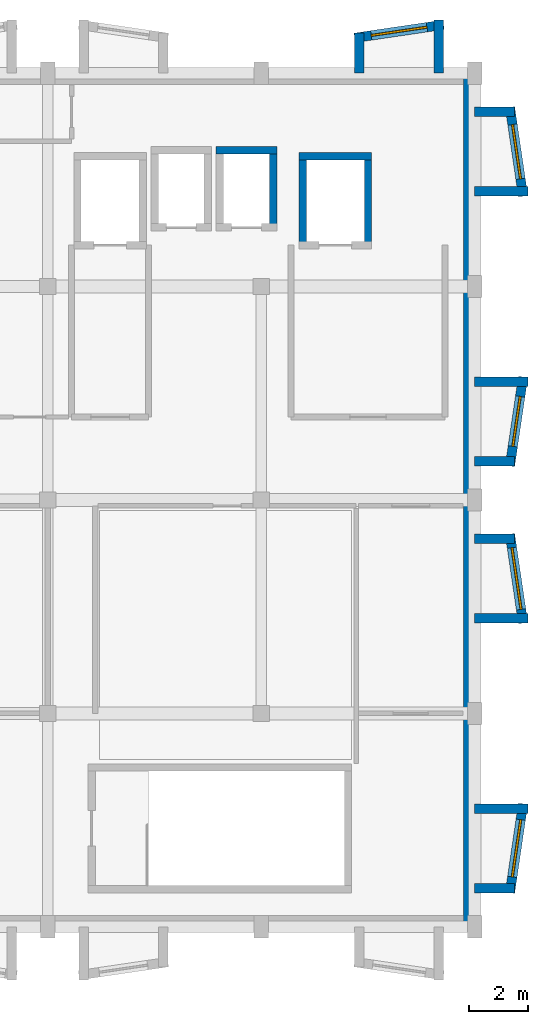
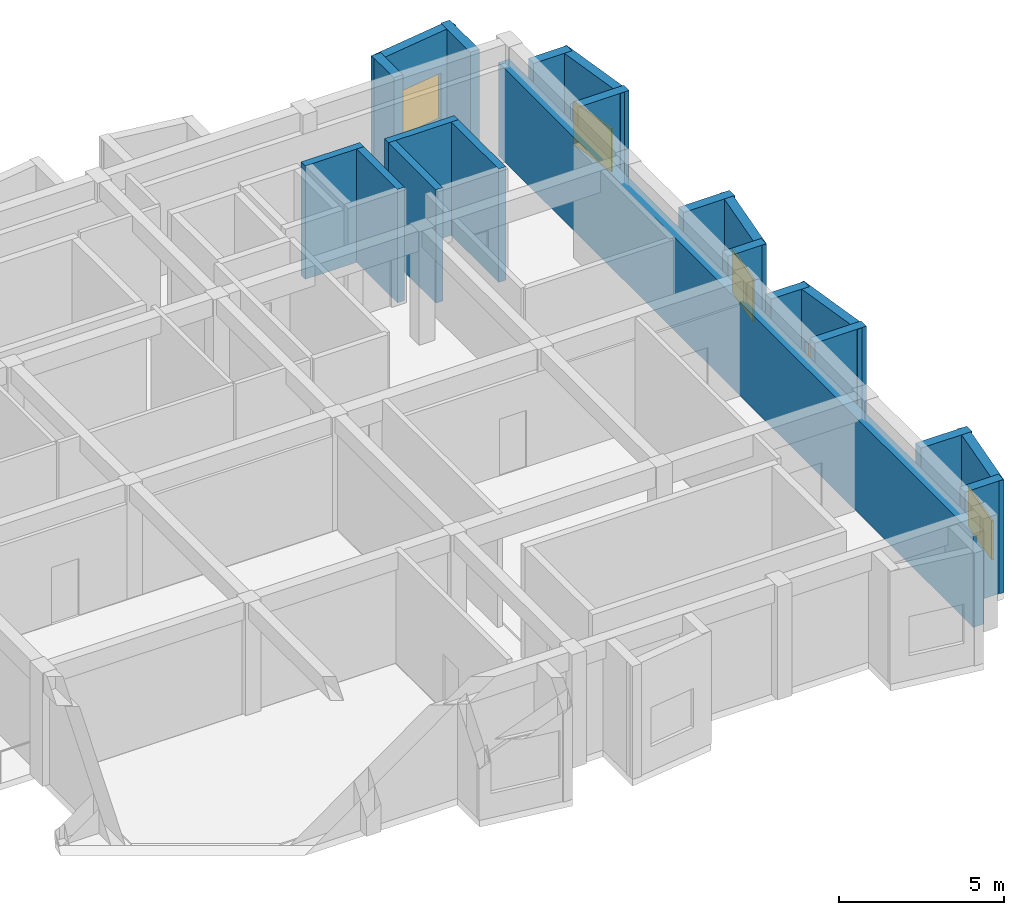
# One storey, part 4 of 5: 21 walls, 5 windows, 5 openings.
"""IFC4 building model written with IfcOpenShell, lengths in metres."""

from ifc_helpers import new_model, si_unit, direction, frame, frame_2d, origin, place, context, subcontext, project, spatial, rectangle, extrude, material, layer, layer_set, type_object, element, fill, save


model = new_model("IFC4")

# Units and contexts
model_context = context("Model", 3, precision=1e-05, world=origin(), true_north=direction((0.0, 1.0)))
body_context = subcontext(model_context, "Body", "Model", "MODEL_VIEW")
ifc_project = project(units=[si_unit("LENGTHUNIT", "METRE"), si_unit("AREAUNIT", "SQUARE_METRE"), si_unit("VOLUMEUNIT", "CUBIC_METRE"), si_unit("PLANEANGLEUNIT", "RADIAN"), si_unit("MASSUNIT", "GRAM", prefix="KILO")], contexts=[model_context])

# Site, building, storey
site_placement = place(None, origin())
site = spatial("IfcSite", under=ifc_project, at=site_placement, CompositionType="ELEMENT")
building_placement = place(site_placement, origin())
building = spatial("IfcBuilding", under=site, at=building_placement, Name="Bramveld Media Centre", CompositionType="ELEMENT")
storey_placement = place(building_placement, frame((0.0, 0.0, 29.699951171875)))
storey = spatial("IfcBuildingStorey", under=building, at=storey_placement, Name="L07", CompositionType="ELEMENT", Elevation=29.699951171875)

# Walls
ifc_material_1 = material(Name="Concrete C40/50 stair & lift core wall", Category="concrete")
ifc_layer_1 = layer(ifc_material_1, 0.25)
ifc_layer_set_1 = layer_set([ifc_layer_1], Name="Concrete C40/50 stair & lift core wall")
wall_type_1 = type_object("IfcWallType", Name="CWALL-SHEAR-250", PredefinedType="SHEAR", material=ifc_layer_set_1)
wall_1_placement = place(storey_placement, frame((156.52490234375, 109.199951171875, 0.0), z_axis=(0.0, 0.0, 1.0), x_axis=(-1.0, 0.0, 0.0)))
element("IfcWall", 1, at=wall_1_placement, inside=storey, type_object=wall_type_1, Name="FL-02 L07 lift shaft wall N", PredefinedType="SHEAR", context=body_context, shape_type="SweptSolid", body=[
    extrude(rectangle(XDim=2.449951171875, YDim=0.25, at=frame_2d((1.22509765625, 0.0))), origin(), (0.0, 0.0, 1.0), 4.199951171875),
])
for number, where, z_axis, x_axis, name in (
    (2, (154.199951171875, 109.199951171875, 0.0), (0.0, 0.0, 1.0), (0.0, -1.0, 0.0), "FL-02 L07 lift shaft wall W"),
    (3, (156.39990234375, 106.199951171875, 0.0), (0.0, 0.0, 1.0), (0.0, 1.0, 0.0), "FL-02 L07 lift shaft wall E"),
):
    element("IfcWall", number, at=place(storey_placement, frame(where, z_axis=z_axis, x_axis=x_axis)), inside=storey, type_object=wall_type_1, Name=name, PredefinedType="SHEAR", context=body_context, shape_type="SweptSolid", body=[
        extrude(rectangle(XDim=3.0, YDim=0.25, at=frame_2d((1.5, 0.0))), origin(), (0.0, 0.0, 1.0), 4.199951171875),
    ])
wall_2_placement = place(storey_placement, frame((153.324951171875, 109.39990234375, 0.0), z_axis=(0.0, 0.0, 1.0), x_axis=(-1.0, 0.0, 0.0)))
element("IfcWall", 4, at=wall_2_placement, inside=storey, type_object=wall_type_1, Name="PL-02 L07 lift shaft wall N", PredefinedType="SHEAR", context=body_context, shape_type="SweptSolid", body=[
    extrude(rectangle(XDim=2.050048828125, YDim=0.25, at=frame_2d((1.02490234375, 0.0))), origin(), (0.0, 0.0, 1.0), 4.199951171875),
])
wall_3_placement = place(storey_placement, frame((153.199951171875, 106.800048828125, 0.0), z_axis=(0.0, 0.0, 1.0), x_axis=(0.0, 1.0, 0.0)))
element("IfcWall", 5, at=wall_3_placement, inside=storey, type_object=wall_type_1, Name="PL-02 L07 lift shaft wall E", PredefinedType="SHEAR", context=body_context, shape_type="SweptSolid", body=[
    extrude(rectangle(XDim=2.599853515625, YDim=0.25, at=frame_2d((1.2998046875, 0.0))), origin(), (0.0, 0.0, 1.0), 4.199951171875),
])
ifc_material_2 = material(Name="Flemish red-brown clay facing brick cavity wall with calcium-silicate backing", Category="masonry")
ifc_layer_2 = layer(ifc_material_2, 0.3798828125)
ifc_layer_set_2 = layer_set([ifc_layer_2], Name="Flemish red-brown clay facing brick cavity wall with calcium-silicate backing")
wall_type_2 = type_object("IfcWallType", Name="EW-BRK-380", PredefinedType="SOLIDWALL", material=ifc_layer_set_2)
wall_4_placement = place(storey_placement, frame((159.81005859375, 112.0, 0.0), z_axis=(0.0, 0.0, 1.0), x_axis=(0.0, -1.0, 0.0)))
element("IfcWall", 6, at=wall_4_placement, inside=storey, type_object=wall_type_2, Name="V7 L07 E facing brick exterior wall", PredefinedType="SOLIDWALL", context=body_context, shape_type="SweptSolid", body=[
    extrude(rectangle(XDim=28.800048828125, YDim=0.3798828125, at=frame_2d((14.39990234375, 0.0))), origin(), (0.0, 0.0, 1.0), 3.455078125),
])

# Wall, opening, window
ifc_material_3 = material(Name="Precast concrete C40/50 & brick-slip faceted bay cheek wall", Category="masonry")
ifc_layer_3 = layer(ifc_material_3, 0.320068359375)
ifc_layer_set_3 = layer_set([ifc_layer_3], Name="Precast concrete C40/50 & brick-slip faceted bay cheek wall")
wall_type_3 = type_object("IfcWallType", Name="EW-FACET-320", PredefinedType="SOLIDWALL", material=ifc_layer_set_3)
wall_5_placement = place(storey_placement, frame((161.18994140625, 84.35009765625, 0.0), z_axis=(0.0, 0.0, 1.0), x_axis=(0.146119746268, 0.989266910268, 0.0)))
wall_5 = element("IfcWall", 7, at=wall_5_placement, inside=storey, type_object=wall_type_3, Name="V7 L07 E angled faceted bay front wall 1", PredefinedType="SOLIDWALL", context=body_context, shape_type="SweptSolid", body=[
    extrude(rectangle(XDim=3.032470703125, YDim=0.320068359375, at=frame_2d((1.51611328125, 0.0))), origin(), (0.0, 0.0, 1.0), 4.179931640625),
])
opening_1_placement = place(wall_5_placement, frame((0.541259765625, 0.0, 0.89990234375)))
opening_1 = element("IfcOpeningElement", 8, at=opening_1_placement, cuts=wall_5, Name="Opening W-27", PredefinedType="OPENING", context=body_context, shape_type="SweptSolid", body=[
    extrude(rectangle(XDim=1.949951171875, YDim=1.449951171875, at=frame_2d((0.97509765625, 0.72509765625))), frame((0.0, 0.171875, 0.0), z_axis=(0.0, -1.0, 0.0), x_axis=(1.0, 0.0, 0.0)), (0.0, 0.0, 1.0), 0.343994140625),
])
ifc_material_4 = material(Name="Thermally broken anodized bronze aluminium frame with triple acoustic glazing", Category="aluminium")
window_type_1 = type_object("IfcWindowType", Name="WIN-FAC-27", PartitioningType="SINGLE_PANEL", PredefinedType="WINDOW", material=ifc_material_4)
window_1_placement = place(opening_1_placement, origin())
window_1 = element("IfcWindow", 9, at=window_1_placement, inside=storey, type_object=window_type_1, Name="V7 L07 E faceted bay window 1", OverallHeight=1.449951171875, OverallWidth=1.949951171875, PartitioningType="SINGLE_PANEL", PredefinedType="WINDOW", context=body_context, shape_type="SweptSolid", body=[
    extrude(rectangle(XDim=1.949951171875, YDim=1.449951171875, at=frame_2d((0.97509765625, 0.72509765625))), frame((0.0, 0.030029296875, 0.0), z_axis=(0.0, -1.0, 0.0), x_axis=(1.0, 0.0, 0.0)), (0.0, 0.0, 1.0), 0.06005859375),
])
fill(opening_1, window_1)

# Walls
wall_6_placement = place(storey_placement, frame((160.0, 84.510009765625, 0.0), z_axis=(0.0, 0.0, 1.0), x_axis=(1.0, 0.0, 0.0)))
element("IfcWall", 10, at=wall_6_placement, inside=storey, type_object=wall_type_3, Name="V7 L07 E faceted bay cheek wall", PredefinedType="SOLIDWALL", context=body_context, shape_type="SweptSolid", body=[
    extrude(rectangle(XDim=1.35009765625, YDim=0.320068359375, at=frame_2d((0.675048828125, 0.0))), origin(), (0.0, 0.0, 1.0), 4.179931640625),
])
wall_7_placement = place(storey_placement, frame((160.0, 87.18994140625, 0.0), z_axis=(0.0, 0.0, 1.0), x_axis=(1.0, 0.0, 0.0)))
element("IfcWall", 11, at=wall_7_placement, inside=storey, type_object=wall_type_3, Name="V7 L07 E faceted bay cheek wall", PredefinedType="SOLIDWALL", context=body_context, shape_type="SweptSolid", body=[
    extrude(rectangle(XDim=1.79296875, YDim=0.320068359375, at=frame_2d((0.896484375, 0.0))), origin(), (0.0, 0.0, 1.0), 4.179931640625),
])

# Wall, opening, window
wall_8_placement = place(storey_placement, frame((161.633056640625, 93.449951171875, 0.0), z_axis=(0.0, 0.0, 1.0), x_axis=(-0.146119746268, 0.989266910268, 0.0)))
wall_8 = element("IfcWall", 12, at=wall_8_placement, inside=storey, type_object=wall_type_3, Name="V7 L07 E angled faceted bay front wall 2", PredefinedType="SOLIDWALL", context=body_context, shape_type="SweptSolid", body=[
    extrude(rectangle(XDim=3.032470703125, YDim=0.320068359375, at=frame_2d((1.51611328125, 0.0))), origin(), (0.0, 0.0, 1.0), 4.179931640625),
])
opening_2_placement = place(wall_8_placement, frame((0.46630859375, 0.0, 0.89990234375)))
opening_2 = element("IfcOpeningElement", 13, at=opening_2_placement, cuts=wall_8, Name="Opening W-28", PredefinedType="OPENING", context=body_context, shape_type="SweptSolid", body=[
    extrude(rectangle(XDim=2.10009765625, YDim=1.449951171875, at=frame_2d((1.050048828125, 0.72509765625))), frame((0.0, 0.171875, 0.0), z_axis=(0.0, -1.0, 0.0), x_axis=(1.0, 0.0, 0.0)), (0.0, 0.0, 1.0), 0.343994140625),
])
ifc_material_5 = material(Name="Thermally broken anodized bronze aluminium frame with triple acoustic glazing", Category="aluminium")
window_type_2 = type_object("IfcWindowType", Name="WIN-FAC-28", PartitioningType="SINGLE_PANEL", PredefinedType="WINDOW", material=ifc_material_5)
window_2_placement = place(opening_2_placement, origin())
window_2 = element("IfcWindow", 14, at=window_2_placement, inside=storey, type_object=window_type_2, Name="V7 L07 E faceted bay window 2", OverallHeight=1.449951171875, OverallWidth=2.10009765625, PartitioningType="SINGLE_PANEL", PredefinedType="WINDOW", context=body_context, shape_type="SweptSolid", body=[
    extrude(rectangle(XDim=2.10009765625, YDim=1.449951171875, at=frame_2d((1.050048828125, 0.72509765625))), frame((0.0, 0.030029296875, 0.0), z_axis=(0.0, -1.0, 0.0), x_axis=(1.0, 0.0, 0.0)), (0.0, 0.0, 1.0), 0.06005859375),
])
fill(opening_2, window_2)

# Walls
wall_9_placement = place(storey_placement, frame((160.0, 93.610107421875, 0.0), z_axis=(0.0, 0.0, 1.0), x_axis=(1.0, 0.0, 0.0)))
element("IfcWall", 15, at=wall_9_placement, inside=storey, type_object=wall_type_3, Name="V7 L07 E faceted bay cheek wall", PredefinedType="SOLIDWALL", context=body_context, shape_type="SweptSolid", body=[
    extrude(rectangle(XDim=1.79296875, YDim=0.320068359375, at=frame_2d((0.896484375, 0.0))), origin(), (0.0, 0.0, 1.0), 4.179931640625),
])
wall_10_placement = place(storey_placement, frame((160.0, 96.2900390625, 0.0), z_axis=(0.0, 0.0, 1.0), x_axis=(1.0, 0.0, 0.0)))
element("IfcWall", 16, at=wall_10_placement, inside=storey, type_object=wall_type_3, Name="V7 L07 E faceted bay cheek wall", PredefinedType="SOLIDWALL", context=body_context, shape_type="SweptSolid", body=[
    extrude(rectangle(XDim=1.35009765625, YDim=0.320068359375, at=frame_2d((0.675048828125, 0.0))), origin(), (0.0, 0.0, 1.0), 4.179931640625),
])

# Wall, opening, window
wall_11_placement = place(storey_placement, frame((161.18994140625, 98.75, 0.0), z_axis=(0.0, 0.0, 1.0), x_axis=(0.146119746268, 0.989266910268, 0.0)))
wall_11 = element("IfcWall", 17, at=wall_11_placement, inside=storey, type_object=wall_type_3, Name="V7 L07 E angled faceted bay front wall 3", PredefinedType="SOLIDWALL", context=body_context, shape_type="SweptSolid", body=[
    extrude(rectangle(XDim=3.032470703125, YDim=0.320068359375, at=frame_2d((1.51611328125, 0.0))), origin(), (0.0, 0.0, 1.0), 4.179931640625),
])
opening_3_placement = place(wall_11_placement, frame((0.666259765625, 0.0, 0.89990234375)))
opening_3 = element("IfcOpeningElement", 18, at=opening_3_placement, cuts=wall_11, Name="Opening W-29", PredefinedType="OPENING", context=body_context, shape_type="SweptSolid", body=[
    extrude(rectangle(XDim=1.699951171875, YDim=1.60009765625, at=frame_2d((0.85009765625, 0.800048828125))), frame((0.0, 0.171875, 0.0), z_axis=(0.0, -1.0, 0.0), x_axis=(1.0, 0.0, 0.0)), (0.0, 0.0, 1.0), 0.343994140625),
])
ifc_material_6 = material(Name="Thermally broken anodized bronze aluminium frame with triple acoustic glazing", Category="aluminium")
window_type_3 = type_object("IfcWindowType", Name="WIN-FAC-29", PartitioningType="SINGLE_PANEL", PredefinedType="WINDOW", material=ifc_material_6)
window_3_placement = place(opening_3_placement, origin())
window_3 = element("IfcWindow", 19, at=window_3_placement, inside=storey, type_object=window_type_3, Name="V7 L07 E faceted bay window 3", OverallHeight=1.60009765625, OverallWidth=1.699951171875, PartitioningType="SINGLE_PANEL", PredefinedType="WINDOW", context=body_context, shape_type="SweptSolid", body=[
    extrude(rectangle(XDim=1.699951171875, YDim=1.60009765625, at=frame_2d((0.85009765625, 0.800048828125))), frame((0.0, 0.030029296875, 0.0), z_axis=(0.0, -1.0, 0.0), x_axis=(1.0, 0.0, 0.0)), (0.0, 0.0, 1.0), 0.06005859375),
])
fill(opening_3, window_3)

# Walls
wall_12_placement = place(storey_placement, frame((160.0, 98.909912109375, 0.0), z_axis=(0.0, 0.0, 1.0), x_axis=(1.0, 0.0, 0.0)))
element("IfcWall", 20, at=wall_12_placement, inside=storey, type_object=wall_type_3, Name="V7 L07 E faceted bay cheek wall", PredefinedType="SOLIDWALL", context=body_context, shape_type="SweptSolid", body=[
    extrude(rectangle(XDim=1.35009765625, YDim=0.320068359375, at=frame_2d((0.675048828125, 0.0))), origin(), (0.0, 0.0, 1.0), 4.179931640625),
])
wall_13_placement = place(storey_placement, frame((160.0, 101.590087890625, 0.0), z_axis=(0.0, 0.0, 1.0), x_axis=(1.0, 0.0, 0.0)))
element("IfcWall", 21, at=wall_13_placement, inside=storey, type_object=wall_type_3, Name="V7 L07 E faceted bay cheek wall", PredefinedType="SOLIDWALL", context=body_context, shape_type="SweptSolid", body=[
    extrude(rectangle(XDim=1.79296875, YDim=0.320068359375, at=frame_2d((0.896484375, 0.0))), origin(), (0.0, 0.0, 1.0), 4.179931640625),
])

# Wall, opening, window
wall_14_placement = place(storey_placement, frame((161.633056640625, 107.85009765625, 0.0), z_axis=(0.0, 0.0, 1.0), x_axis=(-0.146119746268, 0.989266910268, 0.0)))
wall_14 = element("IfcWall", 22, at=wall_14_placement, inside=storey, type_object=wall_type_3, Name="V7 L07 E angled faceted bay front wall 4", PredefinedType="SOLIDWALL", context=body_context, shape_type="SweptSolid", body=[
    extrude(rectangle(XDim=3.032470703125, YDim=0.320068359375, at=frame_2d((1.51611328125, 0.0))), origin(), (0.0, 0.0, 1.0), 4.179931640625),
])
opening_4_placement = place(wall_14_placement, frame((0.59130859375, 0.0, 0.89990234375)))
opening_4 = element("IfcOpeningElement", 23, at=opening_4_placement, cuts=wall_14, Name="Opening W-30", PredefinedType="OPENING", context=body_context, shape_type="SweptSolid", body=[
    extrude(rectangle(XDim=1.85009765625, YDim=1.60009765625, at=frame_2d((0.925048828125, 0.800048828125))), frame((0.0, 0.171875, 0.0), z_axis=(0.0, -1.0, 0.0), x_axis=(1.0, 0.0, 0.0)), (0.0, 0.0, 1.0), 0.343994140625),
])
ifc_material_7 = material(Name="Thermally broken anodized bronze aluminium frame with triple acoustic glazing", Category="aluminium")
window_type_4 = type_object("IfcWindowType", Name="WIN-FAC-30", PartitioningType="SINGLE_PANEL", PredefinedType="WINDOW", material=ifc_material_7)
window_4_placement = place(opening_4_placement, origin())
window_4 = element("IfcWindow", 24, at=window_4_placement, inside=storey, type_object=window_type_4, Name="V7 L07 E faceted bay window 4", OverallHeight=1.60009765625, OverallWidth=1.85009765625, PartitioningType="SINGLE_PANEL", PredefinedType="WINDOW", context=body_context, shape_type="SweptSolid", body=[
    extrude(rectangle(XDim=1.85009765625, YDim=1.60009765625, at=frame_2d((0.925048828125, 0.800048828125))), frame((0.0, 0.030029296875, 0.0), z_axis=(0.0, -1.0, 0.0), x_axis=(1.0, 0.0, 0.0)), (0.0, 0.0, 1.0), 0.06005859375),
])
fill(opening_4, window_4)

# Walls
wall_15_placement = place(storey_placement, frame((160.0, 108.010009765625, 0.0), z_axis=(0.0, 0.0, 1.0), x_axis=(1.0, 0.0, 0.0)))
element("IfcWall", 25, at=wall_15_placement, inside=storey, type_object=wall_type_3, Name="V7 L07 E faceted bay cheek wall", PredefinedType="SOLIDWALL", context=body_context, shape_type="SweptSolid", body=[
    extrude(rectangle(XDim=1.79296875, YDim=0.320068359375, at=frame_2d((0.896484375, 0.0))), origin(), (0.0, 0.0, 1.0), 4.179931640625),
])
wall_16_placement = place(storey_placement, frame((160.0, 110.68994140625, 0.0), z_axis=(0.0, 0.0, 1.0), x_axis=(1.0, 0.0, 0.0)))
element("IfcWall", 26, at=wall_16_placement, inside=storey, type_object=wall_type_3, Name="V7 L07 E faceted bay cheek wall", PredefinedType="SOLIDWALL", context=body_context, shape_type="SweptSolid", body=[
    extrude(rectangle(XDim=1.35009765625, YDim=0.320068359375, at=frame_2d((0.675048828125, 0.0))), origin(), (0.0, 0.0, 1.0), 4.179931640625),
])

# Wall, opening, window
wall_17_placement = place(storey_placement, frame((158.949951171875, 113.633056640625, 0.0), z_axis=(0.0, 0.0, 1.0), x_axis=(-0.989266910268, -0.146119746268, 0.0)))
wall_17 = element("IfcWall", 27, at=wall_17_placement, inside=storey, type_object=wall_type_3, Name="V7 L07 N angled faceted bay front wall 4", PredefinedType="SOLIDWALL", context=body_context, shape_type="SweptSolid", body=[
    extrude(rectangle(XDim=3.032470703125, YDim=0.320068359375, at=frame_2d((1.51611328125, 0.0))), origin(), (0.0, 0.0, 1.0), 4.179931640625),
])
opening_5_placement = place(wall_17_placement, frame((0.56640625, 0.0, 0.89990234375)))
opening_5 = element("IfcOpeningElement", 28, at=opening_5_placement, cuts=wall_17, Name="Opening W-34", PredefinedType="OPENING", context=body_context, shape_type="SweptSolid", body=[
    extrude(rectangle(XDim=1.89990234375, YDim=1.75, at=frame_2d((0.949951171875, 0.875))), frame((0.0, 0.171875, 0.0), z_axis=(0.0, -1.0, 0.0), x_axis=(1.0, 0.0, 0.0)), (0.0, 0.0, 1.0), 0.343994140625),
])
ifc_material_8 = material(Name="Thermally broken anodized bronze aluminium frame with triple acoustic glazing", Category="aluminium")
window_type_5 = type_object("IfcWindowType", Name="WIN-FAC-34", PartitioningType="SINGLE_PANEL", PredefinedType="WINDOW", material=ifc_material_8)
window_5_placement = place(opening_5_placement, origin())
window_5 = element("IfcWindow", 29, at=window_5_placement, inside=storey, type_object=window_type_5, Name="V7 L07 N faceted bay window 4", OverallHeight=1.75, OverallWidth=1.89990234375, PartitioningType="SINGLE_PANEL", PredefinedType="WINDOW", context=body_context, shape_type="SweptSolid", body=[
    extrude(rectangle(XDim=1.89990234375, YDim=1.75, at=frame_2d((0.949951171875, 0.875))), frame((0.0, 0.030029296875, 0.0), z_axis=(0.0, -1.0, 0.0), x_axis=(1.0, 0.0, 0.0)), (0.0, 0.0, 1.0), 0.06005859375),
])
fill(opening_5, window_5)

# Walls
wall_18_placement = place(storey_placement, frame((156.110107421875, 112.0, 0.0), z_axis=(0.0, 0.0, 1.0), x_axis=(0.0, 1.0, 0.0)))
element("IfcWall", 30, at=wall_18_placement, inside=storey, type_object=wall_type_3, Name="V7 L07 N faceted bay cheek wall", PredefinedType="SOLIDWALL", context=body_context, shape_type="SweptSolid", body=[
    extrude(rectangle(XDim=1.35009765625, YDim=0.320068359375, at=frame_2d((0.675048828125, 0.0))), origin(), (0.0, 0.0, 1.0), 4.179931640625),
])
wall_19_placement = place(storey_placement, frame((158.7900390625, 112.0, 0.0), z_axis=(0.0, 0.0, 1.0), x_axis=(0.0, 1.0, 0.0)))
element("IfcWall", 31, at=wall_19_placement, inside=storey, type_object=wall_type_3, Name="V7 L07 N faceted bay cheek wall", PredefinedType="SOLIDWALL", context=body_context, shape_type="SweptSolid", body=[
    extrude(rectangle(XDim=1.79296875, YDim=0.320068359375, at=frame_2d((0.896484375, 0.0))), origin(), (0.0, 0.0, 1.0), 4.179931640625),
])

save(model, "model.ifc")
